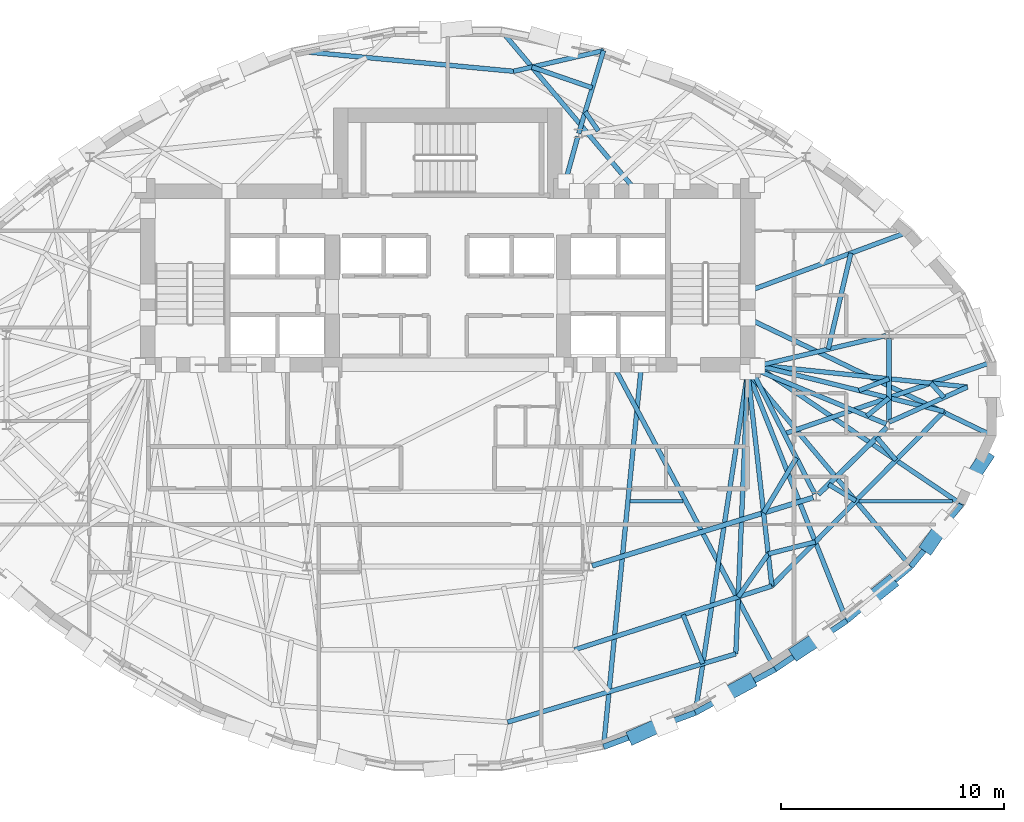
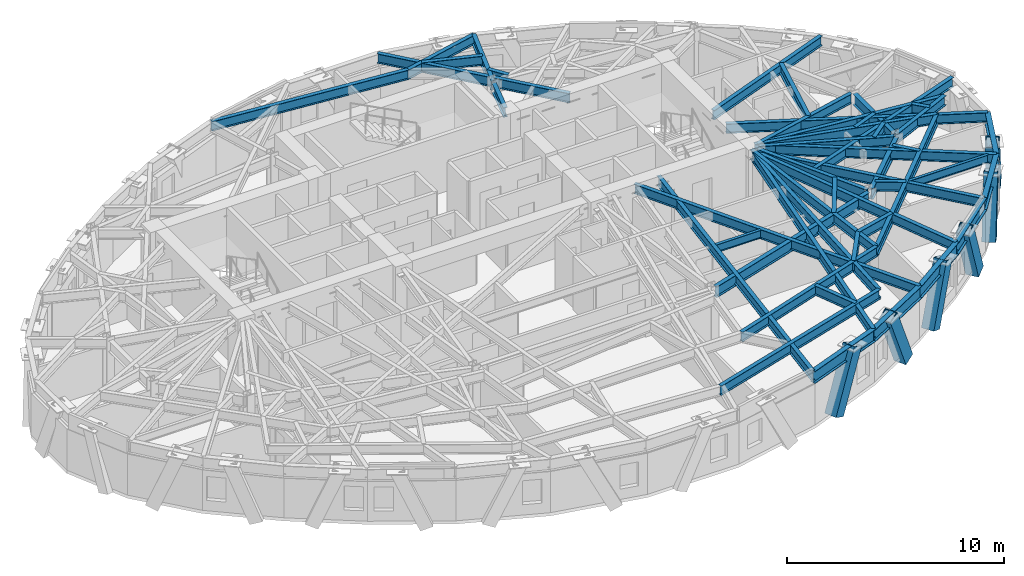
# One storey, part 3 of 14: 48 beams, 6 members.
"""IFC4 building model written with IfcOpenShell, lengths in metres."""

from ifc_helpers import new_model, si_unit, direction, frame, origin, origin_2d, place, context, subcontext, project, spatial, hollow_rectangle, i_section, extrude, material, material_profile, profile_set, type_object, element, save


model = new_model("IFC4")

# Units and contexts
model_context = context("Model", 3, precision=1e-05, world=origin(), true_north=direction((0.0, 1.0)))
body_context = subcontext(model_context, "Body", "Model", "MODEL_VIEW")
ifc_project = project(units=[si_unit("LENGTHUNIT", "METRE"), si_unit("AREAUNIT", "SQUARE_METRE"), si_unit("VOLUMEUNIT", "CUBIC_METRE"), si_unit("PLANEANGLEUNIT", "RADIAN"), si_unit("MASSUNIT", "GRAM", prefix="KILO")], contexts=[model_context])

# Site, building, storey
site_placement = place(None, origin())
site = spatial("IfcSite", under=ifc_project, at=site_placement, CompositionType="ELEMENT")
building_placement = place(site_placement, origin())
building = spatial("IfcBuilding", under=site, at=building_placement, Name="Keldmark Tower", CompositionType="ELEMENT")
storey_placement = place(building_placement, frame((0.0, 0.0, 188.60009765625)))
storey = spatial("IfcBuildingStorey", under=building, at=storey_placement, Name="L52", CompositionType="ELEMENT", Elevation=188.60009765625)

# Beams
ifc_material_1 = material(Name="Steel ASTM A992 Grade 50", Category="steel")
ifc_material_profile_1 = material_profile(ifc_material_1, i_section(OverallWidth=0.153076171875, OverallDepth=0.455078125, WebThickness=0.008056640625, FlangeThickness=0.01318359375, at=origin_2d()), Name="W18X40")
ifc_profile_set_1 = profile_set([ifc_material_profile_1], Name="Steel ASTM A992 Grade 50")
beam_type_1 = type_object("IfcBeamType", Name="Composite Floor Joist W18X40", PredefinedType="JOIST", material=ifc_profile_set_1)
beam_1_placement = place(storey_placement, frame((8.18896484375, -4.60009765625, 2.79248046875), z_axis=(1.0, 0.0, 0.0), x_axis=(0.0, 1.0, 0.0)))
element("IfcBeam", 1, at=beam_1_placement, inside=storey, type_object=beam_type_1, Name="L52 Composite Floor Joist J04", PredefinedType="JOIST", context=body_context, shape_type="SweptSolid", body=[
    extrude(i_section(OverallWidth=0.153076171875, OverallDepth=0.455078125, WebThickness=0.008056640625, FlangeThickness=0.01318359375, at=origin_2d()), origin(), (0.0, 0.0, 1.0), 2.388427734375),
])
beam_2_placement = place(storey_placement, frame((18.465576171875, -4.60009765625, 2.79248046875), z_axis=(1.0, 0.0, 0.0), x_axis=(0.0, 1.0, 0.0)))
element("IfcBeam", 2, at=beam_2_placement, inside=storey, type_object=beam_type_1, Name="L52 Composite Floor Joist J05", PredefinedType="JOIST", context=body_context, shape_type="SweptSolid", body=[
    extrude(i_section(OverallWidth=0.153076171875, OverallDepth=0.455078125, WebThickness=0.008056640625, FlangeThickness=0.01318359375, at=origin_2d()), origin(), (0.0, 0.0, 1.0), 4.214111328125),
])

# Members
ifc_material_2 = material(Name="Steel ASTM A572 Grade 50", Category="steel")
ifc_material_profile_2 = material_profile(ifc_material_2, hollow_rectangle(XDim=0.64990234375, YDim=0.64990234375, WallThickness=0.0400390625, at=origin_2d()), Name="BOX650X650X40")
ifc_profile_set_2 = profile_set([ifc_material_profile_2], Name="Steel ASTM A572 Grade 50")
member_type = type_object("IfcMemberType", Name="Diagrid Zone 3 Brace BOX650X650X40", PredefinedType="BRACE", material=ifc_profile_set_2)
member_1_placement = place(storey_placement, frame((8.3994140625, -15.160400390625, -0.260009765625), z_axis=(0.381739546907, 0.173122602309, 0.907911605222), x_axis=(-0.413021058535, 0.910721475099, 0.0)))
element("IfcMember", 3, at=member_1_placement, inside=storey, type_object=member_type, Name="L52 Perimeter Diagrid Brace 13B", PredefinedType="BRACE", context=body_context, shape_type="SweptSolid", body=[
    extrude(hollow_rectangle(XDim=0.64990234375, YDim=0.64990234375, WallThickness=0.0400390625, at=origin_2d()), origin(), (0.0, 0.0, 1.0), 3.48046875),
])
member_2_placement = place(storey_placement, frame((13.485595703125, -12.75439453125, -0.260009765625), z_axis=(-0.348411931522, -0.187333502896, 0.918430881812), x_axis=(0.473564885035, -0.88075893391, 0.0)))
element("IfcMember", 4, at=member_2_placement, inside=storey, type_object=member_type, Name="L52 Perimeter Diagrid Brace 14A", PredefinedType="BRACE", context=body_context, shape_type="SweptSolid", body=[
    extrude(hollow_rectangle(XDim=0.64990234375, YDim=0.64990234375, WallThickness=0.0400390625, at=origin_2d()), origin(), (0.0, 0.0, 1.0), 3.440673828125),
])
member_3_placement = place(storey_placement, frame((15.72705078125, -11.366943359375, -0.260009765625), z_axis=(0.317265032561, 0.209723619497, 0.92485615235), x_axis=(-0.551444094516, 0.834211849966, 0.0)))
element("IfcMember", 5, at=member_3_placement, inside=storey, type_object=member_type, Name="L52 Perimeter Diagrid Brace 14B", PredefinedType="BRACE", context=body_context, shape_type="SweptSolid", body=[
    extrude(hollow_rectangle(XDim=0.64990234375, YDim=0.64990234375, WallThickness=0.0400390625, at=origin_2d()), origin(), (0.0, 0.0, 1.0), 3.416748046875),
])
member_4_placement = place(storey_placement, frame((19.830810546875, -8.322509765625, -0.260009765625), z_axis=(-0.292264676607, -0.234456442778, 0.927152379735), x_axis=(0.625743661537, -0.78002876232, 0.0)))
element("IfcMember", 6, at=member_4_placement, inside=storey, type_object=member_type, Name="L52 Perimeter Diagrid Brace 15A", PredefinedType="BRACE", context=body_context, shape_type="SweptSolid", body=[
    extrude(hollow_rectangle(XDim=0.64990234375, YDim=0.64990234375, WallThickness=0.0400390625, at=origin_2d()), origin(), (0.0, 0.0, 1.0), 3.408203125),
])
member_5_placement = place(storey_placement, frame((21.60205078125, -6.604736328125, -0.260009765625), z_axis=(0.195430311819, 0.284407303508, 0.938573107932), x_axis=(-0.824176793031, 0.566332600005, 0.0)))
element("IfcMember", 7, at=member_5_placement, inside=storey, type_object=member_type, Name="L52 Perimeter Diagrid Brace 15B", PredefinedType="BRACE", context=body_context, shape_type="SweptSolid", body=[
    extrude(hollow_rectangle(XDim=0.64990234375, YDim=0.64990234375, WallThickness=0.0400390625, at=origin_2d()), origin(), (0.0, 0.0, 1.0), 3.36669921875),
])
member_6_placement = place(storey_placement, frame((24.127685546875, -2.67333984375, -0.260009765625), z_axis=(-0.19938396282, -0.299652615127, 0.932981428335), x_axis=(0.832542950219, -0.553960500434, 0.0)))
element("IfcMember", 8, at=member_6_placement, inside=storey, type_object=member_type, Name="L52 Perimeter Diagrid Brace 16A", PredefinedType="BRACE", context=body_context, shape_type="SweptSolid", body=[
    extrude(hollow_rectangle(XDim=0.64990234375, YDim=0.64990234375, WallThickness=0.0400390625, at=origin_2d()), origin(), (0.0, 0.0, 1.0), 3.386962890625),
])

# Beams
ifc_material_3 = material(Name="Steel ASTM A992 Grade 50", Category="steel")
ifc_material_profile_3 = material_profile(ifc_material_3, i_section(OverallWidth=0.22900390625, OverallDepth=0.612060546875, WebThickness=0.011962890625, FlangeThickness=0.01953125, at=origin_2d()), Name="W24X84")
ifc_profile_set_3 = profile_set([ifc_material_profile_3], Name="Steel ASTM A992 Grade 50")
beam_type_2 = type_object("IfcBeamType", Name="Primary Floor Girder W24X84", PredefinedType="BEAM", material=ifc_profile_set_3)
beam_3_placement = place(storey_placement, frame((6.485107421875, -7.5048828125, 2.7138671875), z_axis=(0.955494563145, 0.295008711398, 0.0), x_axis=(-0.295008711398, 0.955494563145, 0.0)))
element("IfcBeam", 9, at=beam_3_placement, inside=storey, type_object=beam_type_2, Name="L52 Floor Ring Girder FG-R10", PredefinedType="BEAM", context=body_context, shape_type="SweptSolid", body=[
    extrude(i_section(OverallWidth=0.22900390625, OverallDepth=0.612060546875, WebThickness=0.011962890625, FlangeThickness=0.01953125, at=origin_2d()), origin(), (0.0, 0.0, 1.0), 10.39013671875),
])
beam_4_placement = place(storey_placement, frame((16.646728515625, -4.300537109375, 2.7138671875), z_axis=(0.714964509815, 0.699160746684, 0.0), x_axis=(-0.699160746684, 0.714964509815, 0.0)))
element("IfcBeam", 10, at=beam_4_placement, inside=storey, type_object=beam_type_2, Name="L52 Floor Ring Girder FG-R11", PredefinedType="BEAM", context=body_context, shape_type="SweptSolid", body=[
    extrude(i_section(OverallWidth=0.22900390625, OverallDepth=0.612060546875, WebThickness=0.011962890625, FlangeThickness=0.01953125, at=origin_2d()), origin(), (0.0, 0.0, 1.0), 4.31005859375),
])
beam_5_placement = place(storey_placement, frame((19.828369140625, -1.04931640625, 2.7138671875), z_axis=(0.0, 1.0, 0.0), x_axis=(-1.0, 0.0, 0.0)))
element("IfcBeam", 11, at=beam_5_placement, inside=storey, type_object=beam_type_2, Name="L52 Floor Ring Girder FG-R12", PredefinedType="BEAM", context=body_context, shape_type="SweptSolid", body=[
    extrude(i_section(OverallWidth=0.22900390625, OverallDepth=0.612060546875, WebThickness=0.011962890625, FlangeThickness=0.01953125, at=origin_2d()), origin(), (0.0, 0.0, 1.0), 3.778564453125),
])
ifc_material_4 = material(Name="Steel ASTM A992 Grade 50", Category="steel")
ifc_material_profile_4 = material_profile(ifc_material_4, i_section(OverallWidth=0.2099609375, OverallDepth=0.537109375, WebThickness=0.010986328125, FlangeThickness=0.017333984375, at=origin_2d()), Name="W21X68")
ifc_profile_set_4 = profile_set([ifc_material_profile_4], Name="Steel ASTM A992 Grade 50")
beam_type_3 = type_object("IfcBeamType", Name="Radial Tie Girder W21X68", PredefinedType="BEAM", material=ifc_profile_set_4)
beam_6_placement = place(storey_placement, frame((19.692138671875, 2.837158203125, 2.75146484375), z_axis=(-0.973280062348, -0.229621253887, 0.0), x_axis=(0.229621253887, -0.973280062348, 0.0)))
element("IfcBeam", 12, at=beam_6_placement, inside=storey, type_object=beam_type_3, Name="L52 Floor Radial Girder FG-C01", PredefinedType="BEAM", context=body_context, shape_type="SweptSolid", body=[
    extrude(i_section(OverallWidth=0.2099609375, OverallDepth=0.537109375, WebThickness=0.010986328125, FlangeThickness=0.017333984375, at=origin_2d()), origin(), (0.0, 0.0, 1.0), 5.939208984375),
])
beam_7_placement = place(storey_placement, frame((5.843017578125, 11.7802734375, 2.75146484375), z_axis=(-0.265992411, -0.963975122755, 0.0), x_axis=(0.963975122755, -0.265992411, 0.0)))
element("IfcBeam", 13, at=beam_7_placement, inside=storey, type_object=beam_type_3, Name="L52 Floor Radial Girder FG-C03", PredefinedType="BEAM", context=body_context, shape_type="SweptSolid", body=[
    extrude(i_section(OverallWidth=0.2099609375, OverallDepth=0.537109375, WebThickness=0.010986328125, FlangeThickness=0.017333984375, at=origin_2d()), origin(), (0.0, 0.0, 1.0), 2.09716796875),
])
beam_8_placement = place(storey_placement, frame((16.4833984375, -4.273681640625, 2.75146484375), z_axis=(-0.453036691775, 0.891491870914, 0.0), x_axis=(-0.891491870914, -0.453036691775, 0.0)))
element("IfcBeam", 14, at=beam_8_placement, inside=storey, type_object=beam_type_3, Name="L52 Floor Radial Girder FG-C11", PredefinedType="BEAM", context=body_context, shape_type="SweptSolid", body=[
    extrude(i_section(OverallWidth=0.2099609375, OverallDepth=0.537109375, WebThickness=0.010986328125, FlangeThickness=0.017333984375, at=origin_2d()), origin(), (0.0, 0.0, 1.0), 6.044189453125),
])
beam_9_placement = place(storey_placement, frame((19.69921875, -1.135498046875, 2.75146484375), z_axis=(-0.923393794893, 0.383854008124, 0.0), x_axis=(-0.383854008124, -0.923393794893, 0.0)))
element("IfcBeam", 15, at=beam_9_placement, inside=storey, type_object=beam_type_3, Name="L52 Floor Radial Girder FG-C12", PredefinedType="BEAM", context=body_context, shape_type="SweptSolid", body=[
    extrude(i_section(OverallWidth=0.2099609375, OverallDepth=0.537109375, WebThickness=0.010986328125, FlangeThickness=0.017333984375, at=origin_2d()), origin(), (0.0, 0.0, 1.0), 6.28515625),
])
beam_10_placement = place(storey_placement, frame((15.661865234375, -2.6572265625, 2.75146484375), z_axis=(-0.512709839373, -0.858561949197, 0.0), x_axis=(0.858561949197, -0.512709839373, 0.0)))
element("IfcBeam", 16, at=beam_10_placement, inside=storey, type_object=beam_type_3, Name="L52 Framing Pin Header PH-005", PredefinedType="BEAM", context=body_context, shape_type="SweptSolid", body=[
    extrude(i_section(OverallWidth=0.2099609375, OverallDepth=0.537109375, WebThickness=0.010986328125, FlangeThickness=0.017333984375, at=origin_2d()), origin(), (0.0, 0.0, 1.0), 2.87646484375),
])
beam_11_placement = place(storey_placement, frame((13.47509765625, 1.199951171875, 2.75146484375), z_axis=(0.111816266203, -0.993728897946, 0.0), x_axis=(0.993728897946, 0.111816266203, 0.0)))
element("IfcBeam", 17, at=beam_11_placement, inside=storey, type_object=beam_type_3, Name="L52 Sub-Ring Step Girder STP1-M11", PredefinedType="BEAM", context=body_context, shape_type="SweptSolid", body=[
    extrude(i_section(OverallWidth=0.2099609375, OverallDepth=0.537109375, WebThickness=0.010986328125, FlangeThickness=0.017333984375, at=origin_2d()), origin(), (0.0, 0.0, 1.0), 9.6748046875),
])
beam_12_placement = place(storey_placement, frame((18.82861328125, -0.773681640625, 2.75146484375), z_axis=(0.77733769499, 0.62908354608, 0.0), x_axis=(-0.62908354608, 0.77733769499, 0.0)))
element("IfcBeam", 18, at=beam_12_placement, inside=storey, type_object=beam_type_3, Name="L52 Framing Pin Header PH-006", PredefinedType="BEAM", context=body_context, shape_type="SweptSolid", body=[
    extrude(i_section(OverallWidth=0.2099609375, OverallDepth=0.537109375, WebThickness=0.010986328125, FlangeThickness=0.017333984375, at=origin_2d()), origin(), (0.0, 0.0, 1.0), 1.2861328125),
])
beam_13_placement = place(storey_placement, frame((13.800048828125, 1.52490234375, 2.75146484375), z_axis=(0.970811765916, -0.23984268836, 0.0), x_axis=(0.23984268836, 0.970811765916, 0.0)))
element("IfcBeam", 19, at=beam_13_placement, inside=storey, type_object=beam_type_3, Name="L52 Sub-Ring Step Girder STP1-M12", PredefinedType="BEAM", context=body_context, shape_type="SweptSolid", body=[
    extrude(i_section(OverallWidth=0.2099609375, OverallDepth=0.537109375, WebThickness=0.010986328125, FlangeThickness=0.017333984375, at=origin_2d()), origin(), (0.0, 0.0, 1.0), 8.7490234375),
])
beam_14_placement = place(storey_placement, frame((5.693359375, -11.27880859375, 2.75146484375), z_axis=(0.951534558733, 0.307541840302, 0.0), x_axis=(-0.307541840302, 0.951534558733, 0.0)))
element("IfcBeam", 20, at=beam_14_placement, inside=storey, type_object=beam_type_3, Name="L52 Perimeter Collector Ring Beam CRG1-M10", PredefinedType="BEAM", context=body_context, shape_type="SweptSolid", body=[
    extrude(i_section(OverallWidth=0.2099609375, OverallDepth=0.537109375, WebThickness=0.010986328125, FlangeThickness=0.017333984375, at=origin_2d()), origin(), (0.0, 0.0, 1.0), 9.31494140625),
])
beam_15_placement = place(storey_placement, frame((14.556884765625, -8.4140625, 2.75146484375), z_axis=(0.702381218091, 0.711800972515, 0.0), x_axis=(-0.711800972515, 0.702381218091, 0.0)))
element("IfcBeam", 21, at=beam_15_placement, inside=storey, type_object=beam_type_3, Name="L52 Perimeter Collector Ring Beam CRG1-M11", PredefinedType="BEAM", context=body_context, shape_type="SweptSolid", body=[
    extrude(i_section(OverallWidth=0.2099609375, OverallDepth=0.537109375, WebThickness=0.010986328125, FlangeThickness=0.017333984375, at=origin_2d()), origin(), (0.0, 0.0, 1.0), 11.01513671875),
])
beam_16_placement = place(storey_placement, frame((14.394775390625, -6.971923828125, 2.75146484375), z_axis=(-0.572612976442, -0.819825822483, 0.0), x_axis=(0.819825822483, -0.572612976442, 0.0)))
element("IfcBeam", 22, at=beam_16_placement, inside=storey, type_object=beam_type_3, Name="L52 Framing Pin Header PH-010", PredefinedType="BEAM", context=body_context, shape_type="SweptSolid", body=[
    extrude(i_section(OverallWidth=0.2099609375, OverallDepth=0.537109375, WebThickness=0.010986328125, FlangeThickness=0.017333984375, at=origin_2d()), origin(), (0.0, 0.0, 1.0), 2.3544921875),
])
beam_17_placement = place(storey_placement, frame((13.47509765625, 1.199951171875, 2.75146484375), z_axis=(-0.042363738767, -0.999102253845, 0.0), x_axis=(0.999102253845, -0.042363738767, 0.0)))
element("IfcBeam", 23, at=beam_17_placement, inside=storey, type_object=beam_type_3, Name="L52 Sub-Ring Step Girder STP2-M11", PredefinedType="BEAM", context=body_context, shape_type="SweptSolid", body=[
    extrude(i_section(OverallWidth=0.2099609375, OverallDepth=0.537109375, WebThickness=0.010986328125, FlangeThickness=0.017333984375, at=origin_2d()), origin(), (0.0, 0.0, 1.0), 12.6728515625),
])
beam_18_placement = place(storey_placement, frame((2.686279296875, -14.52880859375, 2.75146484375), z_axis=(0.958037011147, 0.286644527721, 0.0), x_axis=(-0.286644527721, 0.958037011147, 0.0)))
element("IfcBeam", 24, at=beam_18_placement, inside=storey, type_object=beam_type_3, Name="L52 Perimeter Collector Ring Beam CRG2-M10", PredefinedType="BEAM", context=body_context, shape_type="SweptSolid", body=[
    extrude(i_section(OverallWidth=0.2099609375, OverallDepth=0.537109375, WebThickness=0.010986328125, FlangeThickness=0.017333984375, at=origin_2d()), origin(), (0.0, 0.0, 1.0), 10.700927734375),
])
beam_19_placement = place(storey_placement, frame((18.471435546875, 0.370849609375, 2.75146484375), z_axis=(0.932821214378, 0.360339537112, 0.0), x_axis=(-0.360339537112, 0.932821214378, 0.0)))
element("IfcBeam", 25, at=beam_19_placement, inside=storey, type_object=beam_type_3, Name="L52 Framing Pin Header PH-011", PredefinedType="BEAM", context=body_context, shape_type="SweptSolid", body=[
    extrude(i_section(OverallWidth=0.2099609375, OverallDepth=0.537109375, WebThickness=0.010986328125, FlangeThickness=0.017333984375, at=origin_2d()), origin(), (0.0, 0.0, 1.0), 1.45458984375),
])
beam_20_placement = place(storey_placement, frame((13.800048828125, 1.52490234375, 2.75146484375), z_axis=(0.994583941478, -0.103936439011, 0.0), x_axis=(0.103936439011, 0.994583941478, 0.0)))
element("IfcBeam", 26, at=beam_20_placement, inside=storey, type_object=beam_type_3, Name="L52 Intermediate Radial Step Girder RT-01M", PredefinedType="BEAM", context=body_context, shape_type="SweptSolid", body=[
    extrude(i_section(OverallWidth=0.2099609375, OverallDepth=0.537109375, WebThickness=0.010986328125, FlangeThickness=0.017333984375, at=origin_2d()), origin(), (0.0, 0.0, 1.0), 9.595458984375),
])
beam_21_placement = place(storey_placement, frame((19.828369140625, -1.04931640625, 2.75146484375), z_axis=(0.912397546397, 0.409305164063, 0.0), x_axis=(-0.409305164063, 0.912397546397, 0.0)))
element("IfcBeam", 27, at=beam_21_placement, inside=storey, type_object=beam_type_3, Name="L52 Local Collector Chord RT-01C", PredefinedType="BEAM", context=body_context, shape_type="SweptSolid", body=[
    extrude(i_section(OverallWidth=0.2099609375, OverallDepth=0.537109375, WebThickness=0.010986328125, FlangeThickness=0.017333984375, at=origin_2d()), origin(), (0.0, 0.0, 1.0), 3.8525390625),
])
beam_22_placement = place(storey_placement, frame((22.2890625, 0.0546875, 2.75146484375), z_axis=(-0.672197878546, 0.740371536512, 0.0), x_axis=(-0.740371536512, -0.672197878546, 0.0)))
element("IfcBeam", 28, at=beam_22_placement, inside=storey, type_object=beam_type_3, Name="L52 Framing Pin Header PH-012", PredefinedType="BEAM", context=body_context, shape_type="SweptSolid", body=[
    extrude(i_section(OverallWidth=0.2099609375, OverallDepth=0.537109375, WebThickness=0.010986328125, FlangeThickness=0.017333984375, at=origin_2d()), origin(), (0.0, 0.0, 1.0), 0.8701171875),
])
beam_23_placement = place(storey_placement, frame((15.114013671875, -1.57958984375, 2.75146484375), z_axis=(0.945101012443, 0.326778328962, 0.0), x_axis=(-0.326778328962, 0.945101012443, 0.0)))
element("IfcBeam", 29, at=beam_23_placement, inside=storey, type_object=beam_type_3, Name="L52 Perimeter Radial Tie Girder RT-01", PredefinedType="BEAM", context=body_context, shape_type="SweptSolid", body=[
    extrude(i_section(OverallWidth=0.2099609375, OverallDepth=0.537109375, WebThickness=0.010986328125, FlangeThickness=0.017333984375, at=origin_2d()), origin(), (0.0, 0.0, 1.0), 9.818603515625),
])
beam_24_placement = place(storey_placement, frame((17.0908203125, 2.223388671875, 2.75146484375), z_axis=(0.229389189664, 0.973334782932, 0.0), x_axis=(-0.973334782932, 0.229389189664, 0.0)))
element("IfcBeam", 30, at=beam_24_placement, inside=storey, type_object=beam_type_3, Name="L52 Framing Pin Header PH-013", PredefinedType="BEAM", context=body_context, shape_type="SweptSolid", body=[
    extrude(i_section(OverallWidth=0.2099609375, OverallDepth=0.537109375, WebThickness=0.010986328125, FlangeThickness=0.017333984375, at=origin_2d()), origin(), (0.0, 0.0, 1.0), 4.433837890625),
])
beam_25_placement = place(storey_placement, frame((13.47509765625, 4.8212890625, 2.75146484375), z_axis=(0.937623218019, 0.347653133211, 0.0), x_axis=(-0.347653133211, 0.937623218019, 0.0)))
element("IfcBeam", 31, at=beam_25_placement, inside=storey, type_object=beam_type_3, Name="L52 Perimeter Radial Tie Girder RT-03", PredefinedType="BEAM", context=body_context, shape_type="SweptSolid", body=[
    extrude(i_section(OverallWidth=0.2099609375, OverallDepth=0.537109375, WebThickness=0.010986328125, FlangeThickness=0.017333984375, at=origin_2d()), origin(), (0.0, 0.0, 1.0), 7.8154296875),
])
beam_26_placement = place(storey_placement, frame((5.880126953125, 11.915283203125, 2.75146484375), z_axis=(0.287428543118, 0.957802084254, 0.0), x_axis=(-0.957802084254, 0.287428543118, 0.0)))
element("IfcBeam", 32, at=beam_26_placement, inside=storey, type_object=beam_type_3, Name="L52 Perimeter Column Bracket RT-07", PredefinedType="BEAM", context=body_context, shape_type="SweptSolid", body=[
    extrude(i_section(OverallWidth=0.2099609375, OverallDepth=0.537109375, WebThickness=0.010986328125, FlangeThickness=0.017333984375, at=origin_2d()), origin(), (0.0, 0.0, 1.0), 3.8876953125),
])
beam_27_placement = place(storey_placement, frame((8.699951171875, 1.52490234375, 2.75146484375), z_axis=(-0.098700653215, -0.995117169511, 0.0), x_axis=(0.995117169511, -0.098700653215, 0.0)))
element("IfcBeam", 33, at=beam_27_placement, inside=storey, type_object=beam_type_3, Name="L52 Perimeter Radial Tie Girder RT-26", PredefinedType="BEAM", context=body_context, shape_type="SweptSolid", body=[
    extrude(i_section(OverallWidth=0.2099609375, OverallDepth=0.537109375, WebThickness=0.010986328125, FlangeThickness=0.017333984375, at=origin_2d()), origin(), (0.0, 0.0, 1.0), 17.248046875),
])
beam_28_placement = place(storey_placement, frame((10.568359375, -9.703125, 2.75146484375), z_axis=(0.37472147313, -0.927137431871, 0.0), x_axis=(0.927137431871, 0.37472147313, 0.0)))
element("IfcBeam", 34, at=beam_28_placement, inside=storey, type_object=beam_type_3, Name="L52 Framing Pin Header PH-029", PredefinedType="BEAM", context=body_context, shape_type="SweptSolid", body=[
    extrude(i_section(OverallWidth=0.2099609375, OverallDepth=0.537109375, WebThickness=0.010986328125, FlangeThickness=0.017333984375, at=origin_2d()), origin(), (0.0, 0.0, 1.0), 2.374267578125),
])
beam_29_placement = place(storey_placement, frame((13.47509765625, 1.199951171875, 2.75146484375), z_axis=(-0.152143678814, -0.988358386921, 0.0), x_axis=(0.988358386921, -0.152143678814, 0.0)))
element("IfcBeam", 35, at=beam_29_placement, inside=storey, type_object=beam_type_3, Name="L52 Perimeter Radial Tie Girder RT-27", PredefinedType="BEAM", context=body_context, shape_type="SweptSolid", body=[
    extrude(i_section(OverallWidth=0.2099609375, OverallDepth=0.537109375, WebThickness=0.010986328125, FlangeThickness=0.017333984375, at=origin_2d()), origin(), (0.0, 0.0, 1.0), 15.4833984375),
])
beam_30_placement = place(storey_placement, frame((7.425048828125, 1.52490234375, 2.75146484375), z_axis=(0.470030302554, -0.882650278809, 0.0), x_axis=(0.882650278809, 0.470030302554, 0.0)))
element("IfcBeam", 36, at=beam_30_placement, inside=storey, type_object=beam_type_3, Name="L52 Perimeter Radial Tie Girder RT-28", PredefinedType="BEAM", context=body_context, shape_type="SweptSolid", body=[
    extrude(i_section(OverallWidth=0.2099609375, OverallDepth=0.537109375, WebThickness=0.010986328125, FlangeThickness=0.017333984375, at=origin_2d()), origin(), (0.0, 0.0, 1.0), 15.491943359375),
])
beam_31_placement = place(storey_placement, frame((14.394775390625, -6.971923828125, 2.75146484375), z_axis=(0.969041793452, 0.2468967447, 0.0), x_axis=(-0.2468967447, 0.969041793452, 0.0)))
element("IfcBeam", 37, at=beam_31_placement, inside=storey, type_object=beam_type_3, Name="L52 Framing Pin Header PH-030", PredefinedType="BEAM", context=body_context, shape_type="SweptSolid", body=[
    extrude(i_section(OverallWidth=0.2099609375, OverallDepth=0.537109375, WebThickness=0.010986328125, FlangeThickness=0.017333984375, at=origin_2d()), origin(), (0.0, 0.0, 1.0), 2.185302734375),
])
beam_32_placement = place(storey_placement, frame((13.47509765625, 1.199951171875, 2.75146484375), z_axis=(0.369751525777, -0.929130673902, 0.0), x_axis=(0.929130673902, 0.369751525777, 0.0)))
element("IfcBeam", 38, at=beam_32_placement, inside=storey, type_object=beam_type_3, Name="L52 Perimeter Radial Tie Girder RT-29", PredefinedType="BEAM", context=body_context, shape_type="SweptSolid", body=[
    extrude(i_section(OverallWidth=0.2099609375, OverallDepth=0.537109375, WebThickness=0.010986328125, FlangeThickness=0.017333984375, at=origin_2d()), origin(), (0.0, 0.0, 1.0), 12.0224609375),
])
beam_33_placement = place(storey_placement, frame((17.10888671875, -3.8486328125, 2.75146484375), z_axis=(0.854828118469, -0.518911252407, 0.0), x_axis=(0.518911252407, 0.854828118469, 0.0)))
element("IfcBeam", 39, at=beam_33_placement, inside=storey, type_object=beam_type_3, Name="L52 Framing Pin Header PH-031", PredefinedType="BEAM", context=body_context, shape_type="SweptSolid", body=[
    extrude(i_section(OverallWidth=0.2099609375, OverallDepth=0.537109375, WebThickness=0.010986328125, FlangeThickness=0.017333984375, at=origin_2d()), origin(), (0.0, 0.0, 1.0), 1.428955078125),
])
beam_34_placement = place(storey_placement, frame((13.47509765625, 1.199951171875, 2.75146484375), z_axis=(0.642560774117, -0.766234723545, 0.0), x_axis=(0.766234723545, 0.642560774117, 0.0)))
element("IfcBeam", 40, at=beam_34_placement, inside=storey, type_object=beam_type_3, Name="L52 Perimeter Radial Tie Girder RT-30", PredefinedType="BEAM", context=body_context, shape_type="SweptSolid", body=[
    extrude(i_section(OverallWidth=0.2099609375, OverallDepth=0.537109375, WebThickness=0.010986328125, FlangeThickness=0.017333984375, at=origin_2d()), origin(), (0.0, 0.0, 1.0), 11.404296875),
])
beam_35_placement = place(storey_placement, frame((19.26611328125, -1.739013671875, 2.75146484375), z_axis=(0.648239882684, -0.761436178874, 0.0), x_axis=(0.761436178874, 0.648239882684, 0.0)))
element("IfcBeam", 41, at=beam_35_placement, inside=storey, type_object=beam_type_3, Name="L52 Framing Pin Header PH-032", PredefinedType="BEAM", context=body_context, shape_type="SweptSolid", body=[
    extrude(i_section(OverallWidth=0.2099609375, OverallDepth=0.537109375, WebThickness=0.010986328125, FlangeThickness=0.017333984375, at=origin_2d()), origin(), (0.0, 0.0, 1.0), 1.341552734375),
])
beam_36_placement = place(storey_placement, frame((13.800048828125, 1.52490234375, 2.75146484375), z_axis=(0.828315577865, -0.560261816891, 0.0), x_axis=(0.560261816891, 0.828315577865, 0.0)))
element("IfcBeam", 42, at=beam_36_placement, inside=storey, type_object=beam_type_3, Name="L52 Perimeter Radial Tie Girder RT-31", PredefinedType="BEAM", context=body_context, shape_type="SweptSolid", body=[
    extrude(i_section(OverallWidth=0.2099609375, OverallDepth=0.537109375, WebThickness=0.010986328125, FlangeThickness=0.017333984375, at=origin_2d()), origin(), (0.0, 0.0, 1.0), 11.18896484375),
])
beam_37_placement = place(storey_placement, frame((13.47509765625, 3.6142578125, 2.75146484375), z_axis=(0.901448812956, -0.432885709652, 0.0), x_axis=(0.432885709652, 0.901448812956, 0.0)))
element("IfcBeam", 43, at=beam_37_placement, inside=storey, type_object=beam_type_3, Name="L52 Perimeter Radial Tie Girder RT-32", PredefinedType="BEAM", context=body_context, shape_type="SweptSolid", body=[
    extrude(i_section(OverallWidth=0.2099609375, OverallDepth=0.537109375, WebThickness=0.010986328125, FlangeThickness=0.017333984375, at=origin_2d()), origin(), (0.0, 0.0, 1.0), 12.112060546875),
])
beam_38_placement = place(storey_placement, frame((6.763427734375, 12.02880859375, 2.75146484375), z_axis=(-0.567820536571, 0.823152378511, 0.0), x_axis=(-0.823152378511, -0.567820536571, 0.0)))
element("IfcBeam", 44, at=beam_38_placement, inside=storey, type_object=beam_type_3, Name="L52 Framing Pin Header PH-034", PredefinedType="BEAM", context=body_context, shape_type="SweptSolid", body=[
    extrude(i_section(OverallWidth=0.2099609375, OverallDepth=0.537109375, WebThickness=0.010986328125, FlangeThickness=0.017333984375, at=origin_2d()), origin(), (0.0, 0.0, 1.0), 1.042236328125),
])
beam_39_placement = place(storey_placement, frame((2.95263671875, 14.70751953125, 2.75146484375), z_axis=(0.974499136764, 0.224391248597, 0.0), x_axis=(-0.224391248597, 0.974499136764, 0.0)))
element("IfcBeam", 45, at=beam_39_placement, inside=storey, type_object=beam_type_3, Name="L52 Crown Step Collector Chord RT-08RP2", PredefinedType="BEAM", context=body_context, shape_type="SweptSolid", body=[
    extrude(i_section(OverallWidth=0.2099609375, OverallDepth=0.537109375, WebThickness=0.010986328125, FlangeThickness=0.017333984375, at=origin_2d()), origin(), (0.0, 0.0, 1.0), 4.15087890625),
])
beam_40_placement = place(storey_placement, frame((6.494873046875, 13.96337890625, 2.75146484375), z_axis=(-0.945427213375, 0.325833368778, 0.0), x_axis=(-0.325833368778, -0.945427213375, 0.0)))
element("IfcBeam", 46, at=beam_40_placement, inside=storey, type_object=beam_type_3, Name="L52 Framing Pin Header PH-035", PredefinedType="BEAM", context=body_context, shape_type="SweptSolid", body=[
    extrude(i_section(OverallWidth=0.2099609375, OverallDepth=0.537109375, WebThickness=0.010986328125, FlangeThickness=0.017333984375, at=origin_2d()), origin(), (0.0, 0.0, 1.0), 2.86962890625),
])
beam_41_placement = place(storey_placement, frame((8.471435546875, 9.324951171875, 2.75146484375), z_axis=(-0.64382782933, 0.765170390293, 0.0), x_axis=(-0.765170390293, -0.64382782933, 0.0)))
element("IfcBeam", 47, at=beam_41_placement, inside=storey, type_object=beam_type_3, Name="L52 Perimeter Radial Tie Girder RT-08R", PredefinedType="BEAM", context=body_context, shape_type="SweptSolid", body=[
    extrude(i_section(OverallWidth=0.2099609375, OverallDepth=0.537109375, WebThickness=0.010986328125, FlangeThickness=0.017333984375, at=origin_2d()), origin(), (0.0, 0.0, 1.0), 9.42626953125),
])
beam_42_placement = place(storey_placement, frame((2.95263671875, 14.70751953125, 2.75146484375), z_axis=(-0.99564755396, 0.093198435037, 0.0), x_axis=(-0.093198435037, -0.99564755396, 0.0)))
element("IfcBeam", 48, at=beam_42_placement, inside=storey, type_object=beam_type_3, Name="L52 Straddling Support Chord RT-09RB", PredefinedType="BEAM", context=body_context, shape_type="SweptSolid", body=[
    extrude(i_section(OverallWidth=0.2099609375, OverallDepth=0.537109375, WebThickness=0.010986328125, FlangeThickness=0.017333984375, at=origin_2d()), origin(), (0.0, 0.0, 1.0), 9.99365234375),
])
ifc_material_5 = material(Name="Steel ASTM A992 Grade 50", Category="steel")
ifc_material_profile_5 = material_profile(ifc_material_5, i_section(OverallWidth=0.256103515625, OverallDepth=0.693115234375, WebThickness=0.014404296875, FlangeThickness=0.023681640625, at=origin_2d()), Name="W27X114")
ifc_profile_set_5 = profile_set([ifc_material_profile_5], Name="Steel ASTM A992 Grade 50")
beam_type_4 = type_object("IfcBeamType", Name="Spandrel Ring Beam W27X114", PredefinedType="SPANDREL", material=ifc_profile_set_5)
beam_43_placement = place(storey_placement, frame((6.99755859375, -15.638916015625, 2.67333984375), z_axis=(0.937077486277, 0.34912144694, 0.0), x_axis=(-0.34912144694, 0.937077486277, 0.0)))
element("IfcBeam", 49, at=beam_43_placement, inside=storey, type_object=beam_type_4, Name="L52 Perimeter Spandrel Ring Beam SRB-26", PredefinedType="SPANDREL", context=body_context, shape_type="SweptSolid", body=[
    extrude(i_section(OverallWidth=0.256103515625, OverallDepth=0.693115234375, WebThickness=0.014404296875, FlangeThickness=0.023681640625, at=origin_2d()), origin(), (0.0, 0.0, 1.0), 4.398681640625),
])
beam_44_placement = place(storey_placement, frame((11.119384765625, -14.103271484375, 2.67333984375), z_axis=(0.878169505213, 0.478349579402, 0.0), x_axis=(-0.478349579402, 0.878169505213, 0.0)))
element("IfcBeam", 50, at=beam_44_placement, inside=storey, type_object=beam_type_4, Name="L52 Perimeter Spandrel Ring Beam SRB-27", PredefinedType="SPANDREL", context=body_context, shape_type="SweptSolid", body=[
    extrude(i_section(OverallWidth=0.256103515625, OverallDepth=0.693115234375, WebThickness=0.014404296875, FlangeThickness=0.023681640625, at=origin_2d()), origin(), (0.0, 0.0, 1.0), 4.085205078125),
])
beam_45_placement = place(storey_placement, frame((14.706787109375, -12.149169921875, 2.67333984375), z_axis=(0.827710478333, 0.561155383168, 0.0), x_axis=(-0.561155383168, 0.827710478333, 0.0)))
element("IfcBeam", 51, at=beam_45_placement, inside=storey, type_object=beam_type_4, Name="L52 Perimeter Spandrel Ring Beam SRB-28", PredefinedType="SPANDREL", context=body_context, shape_type="SweptSolid", body=[
    extrude(i_section(OverallWidth=0.256103515625, OverallDepth=0.693115234375, WebThickness=0.014404296875, FlangeThickness=0.023681640625, at=origin_2d()), origin(), (0.0, 0.0, 1.0), 3.882568359375),
])
beam_46_placement = place(storey_placement, frame((17.92041015625, -9.970458984375, 2.67333984375), z_axis=(0.764296468588, 0.64486503092, 0.0), x_axis=(-0.64486503092, 0.764296468588, 0.0)))
element("IfcBeam", 52, at=beam_46_placement, inside=storey, type_object=beam_type_4, Name="L52 Perimeter Spandrel Ring Beam SRB-29", PredefinedType="SPANDREL", context=body_context, shape_type="SweptSolid", body=[
    extrude(i_section(OverallWidth=0.256103515625, OverallDepth=0.693115234375, WebThickness=0.014404296875, FlangeThickness=0.023681640625, at=origin_2d()), origin(), (0.0, 0.0, 1.0), 3.771484375),
])
beam_47_placement = place(storey_placement, frame((20.802978515625, -7.538330078125, 2.67333984375), z_axis=(0.629697919329, 0.776840093193, 0.0), x_axis=(-0.776840093193, 0.629697919329, 0.0)))
element("IfcBeam", 53, at=beam_47_placement, inside=storey, type_object=beam_type_4, Name="L52 Perimeter Spandrel Ring Beam SRB-30", PredefinedType="SPANDREL", context=body_context, shape_type="SweptSolid", body=[
    extrude(i_section(OverallWidth=0.256103515625, OverallDepth=0.693115234375, WebThickness=0.014404296875, FlangeThickness=0.023681640625, at=origin_2d()), origin(), (0.0, 0.0, 1.0), 3.59716796875),
])
beam_48_placement = place(storey_placement, frame((23.068115234375, -4.743896484375, 2.67333984375), z_axis=(0.391533077768, 0.920164033753, 0.0), x_axis=(-0.920164033753, 0.391533077768, 0.0)))
element("IfcBeam", 54, at=beam_48_placement, inside=storey, type_object=beam_type_4, Name="L52 Perimeter Spandrel Ring Beam SRB-31", PredefinedType="SPANDREL", context=body_context, shape_type="SweptSolid", body=[
    extrude(i_section(OverallWidth=0.256103515625, OverallDepth=0.693115234375, WebThickness=0.014404296875, FlangeThickness=0.023681640625, at=origin_2d()), origin(), (0.0, 0.0, 1.0), 3.38525390625),
])

save(model, "model.ifc")
